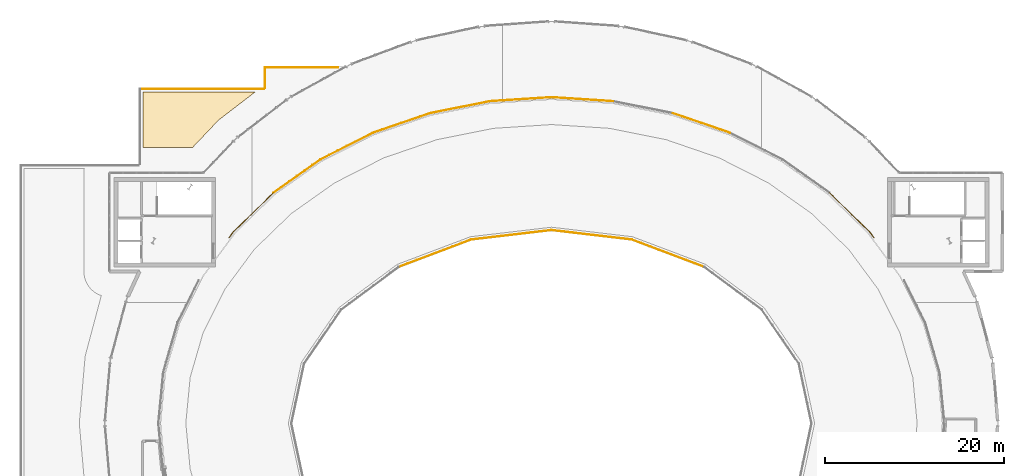
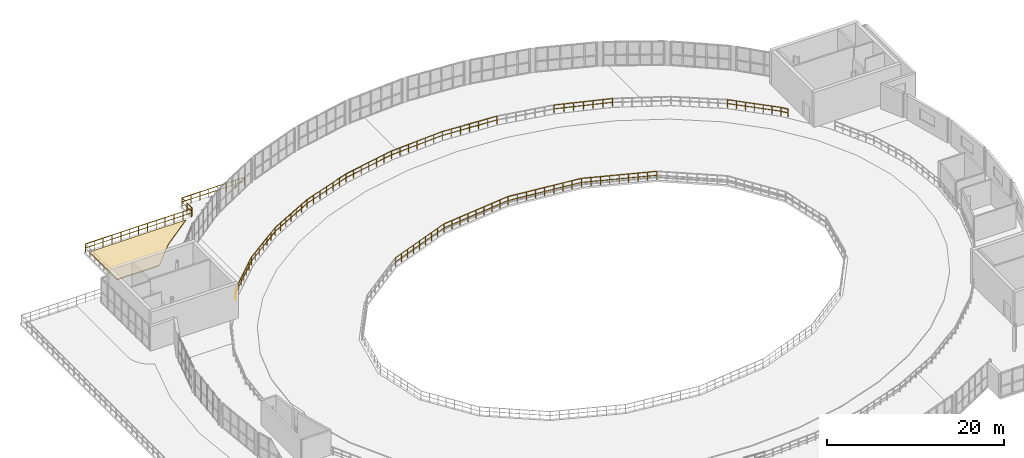
# One storey, part 39 of 40: 18 railings, 1 covering.
"""IFC4 building model written with IfcOpenShell, lengths in metres."""

import ifcopenshell
import ifcopenshell.guid

model = None  # the IFC model being written
_history = None  # IfcOwnerHistory: only IFC2X3 demands one
_inside = {}  # id of a spatial element -> (the spatial element, [elements in it])
_under = {}  # id of a project, library or spatial element -> (it, [spatial elements below it])
_declared = {}  # id of a project -> (the project, [libraries it declares])
_typed = {}  # id of a type object -> (the type object, [elements of that type])
_made_of = {}  # id of a material, layer set ... -> (it, [elements and type objects made of it])


def new_model(schema):
    """Start an empty IFC model of exactly this schema.

    Asked for "IFC4X3", IfcOpenShell would pick the latest addendum, in which some entities
    have other attributes; the version numbers below select the first issue.
    IFC2X3 requires an IfcOwnerHistory on every rooted entity: one is made here for all.
    """
    global model, _history
    if schema == "IFC4X3":
        model = ifcopenshell.file(schema_version=(4, 3, 0, 0))
    else:
        model = ifcopenshell.file(schema=schema)
    _inside.clear()
    _under.clear()
    _declared.clear()
    _typed.clear()
    _made_of.clear()
    _history = None
    if model.schema == "IFC2X3":
        org = make("IfcOrganization", Name="unknown")
        user = make(
            "IfcPersonAndOrganization",
            ThePerson=make("IfcPerson", FamilyName="unknown"),
            TheOrganization=org,
        )
        app = make(
            "IfcApplication",
            ApplicationDeveloper=org,
            Version="unknown",
            ApplicationFullName="unknown",
            ApplicationIdentifier="unknown",
        )
        _history = make(
            "IfcOwnerHistory",
            OwningUser=user,
            OwningApplication=app,
            ChangeAction="ADDED",
            CreationDate=0,
        )
    return model


def make(cls, **values):
    """One entity of the class cls with the attributes given. An attribute that is None is left unset."""
    return model.create_entity(
        cls, **{name: value for name, value in values.items() if value is not None}
    )


def rooted(cls, **values):
    """An entity with a GlobalId (a new one), such as an element, a storey or a relation."""
    return make(cls, GlobalId=ifcopenshell.guid.new(), OwnerHistory=_history, **values)


def si_unit(unit_type, name, prefix=None):
    """IfcSIUnit, for example si_unit("LENGTHUNIT", "METRE", prefix="MILLI")."""
    return make("IfcSIUnit", UnitType=unit_type, Prefix=prefix, Name=name)


def assignment(units):
    """IfcUnitAssignment: the units of a project."""
    return None if units is None else make("IfcUnitAssignment", Units=units)


def point(xyz):
    """IfcCartesianPoint."""
    return None if xyz is None else make("IfcCartesianPoint", Coordinates=xyz)


def direction(xyz):
    """IfcDirection."""
    return None if xyz is None else make("IfcDirection", DirectionRatios=xyz)


def frame(location, z_axis=None, x_axis=None):
    """IfcAxis2Placement3D, a coordinate frame: its origin and axes. An axis left out is left unset."""
    return make(
        "IfcAxis2Placement3D",
        Location=point(location),
        Axis=direction(z_axis),
        RefDirection=direction(x_axis),
    )


def frame_2d(location, x_axis=None):
    """IfcAxis2Placement2D, a coordinate frame in the plane: its origin and x axis."""
    return make(
        "IfcAxis2Placement2D", Location=point(location), RefDirection=direction(x_axis)
    )


def origin():
    """The frame at (0, 0, 0) with its axes left unset."""
    return frame((0.0, 0.0, 0.0))


def origin_2d():
    """The frame at (0, 0) in the plane with its x axis left unset."""
    return frame_2d((0.0, 0.0))


def place(relative_to, where):
    """IfcLocalPlacement: puts the frame where relative to a parent placement (None: the world)."""
    return make(
        "IfcLocalPlacement", PlacementRelTo=relative_to, RelativePlacement=where
    )


def context(
    kind, dimensions, precision=None, world=None, true_north=None, identifier=None
):
    """IfcGeometricRepresentationContext, for example the 3D "Model" context."""
    return make(
        "IfcGeometricRepresentationContext",
        ContextIdentifier=identifier,
        ContextType=kind,
        CoordinateSpaceDimension=dimensions,
        Precision=precision,
        WorldCoordinateSystem=world,
        TrueNorth=true_north,
    )


def subcontext(parent, identifier, kind, view, scale=None):
    """IfcGeometricRepresentationSubContext, for example "Body" below "Model"."""
    return make(
        "IfcGeometricRepresentationSubContext",
        ContextIdentifier=identifier,
        ContextType=kind,
        ParentContext=parent,
        TargetScale=scale,
        TargetView=view,
    )


def project(units=None, contexts=None):
    """IfcProject with its units and contexts."""
    return rooted(
        "IfcProject",
        Name="project",
        RepresentationContexts=contexts,
        UnitsInContext=assignment(units),
    )


def spatial(cls, under=None, at=None, **own):
    """A site, building, storey or space (cls), placed at a placement, below another one or the project."""
    s = rooted(cls, ObjectPlacement=at, **own)
    if under is not None:
        _under.setdefault(under.id(), (under, []))[1].append(s)
    return s


def polyline(points):
    """IfcPolyline through the points."""
    return make("IfcPolyline", Points=[point(p) for p in points])


def profile(cls, at=None, kind="AREA", **sizes):
    """A parametric profile (cls). Its sizes go by their IFC names, for example OverallWidth=200.0."""
    return make(cls, ProfileType=kind, Position=at, **sizes)


def circle(**sizes):
    """IfcCircleProfileDef."""
    return profile("IfcCircleProfileDef", **sizes)


def outline(outer, holes=None, kind="AREA"):
    """IfcArbitraryClosedProfileDef: a profile drawn as a closed curve; with holes, ...WithVoids."""
    if holes is None:
        return make("IfcArbitraryClosedProfileDef", ProfileType=kind, OuterCurve=outer)
    return make(
        "IfcArbitraryProfileDefWithVoids",
        ProfileType=kind,
        OuterCurve=outer,
        InnerCurves=holes,
    )


def extrude(swept, where, along, depth):
    """IfcExtrudedAreaSolid: the profile swept, set in the frame where, extruded along a direction by depth."""
    return make(
        "IfcExtrudedAreaSolid",
        SweptArea=swept,
        Position=where,
        ExtrudedDirection=direction(along),
        Depth=depth,
    )


def shape(context_of_items, identifier, shape_type, items):
    """IfcShapeRepresentation: the items that make up one representation, for example the "Body"."""
    return make(
        "IfcShapeRepresentation",
        ContextOfItems=context_of_items,
        RepresentationIdentifier=identifier,
        RepresentationType=shape_type,
        Items=items,
    )


def material(Name=None, Category=None):
    """IfcMaterial."""
    return make("IfcMaterial", Name=Name, Category=Category)


def layer(
    of_material, thickness, ventilated=None, Name=None, Category=None, Priority=None
):
    """IfcMaterialLayer: one layer of a wall or slab, of a material (None: an air gap)."""
    return make(
        "IfcMaterialLayer",
        Material=of_material,
        LayerThickness=thickness,
        IsVentilated=ventilated,
        Name=Name,
        Category=Category,
        Priority=Priority,
    )


def layer_set(layers, Name=None):
    """IfcMaterialLayerSet."""
    return make("IfcMaterialLayerSet", MaterialLayers=layers, LayerSetName=Name)


def made_of(thing, what):
    """Note that an element or type object is made of a material, layer set ...; save() writes the relation."""
    if what is not None:
        _made_of.setdefault(what.id(), (what, []))[1].append(thing)
    return thing


def type_object(cls, material=None, **own):
    """A type object (cls), such as IfcWallType, which elements share."""
    return made_of(rooted(cls, **own), material)


def element(
    cls,
    number,
    at=None,
    inside=None,
    cuts=None,
    type_object=None,
    material=None,
    context=None,
    identifier="Body",
    shape_type=None,
    held_by="IfcProductDefinitionShape",
    body=None,
    shapes=None,
    **own,
):
    """One element of the class cls, such as IfcWall. Its Tag is "e" and its number.

    at: its placement. inside: the storey or other place that contains it. cuts: it is an
    opening in that element (IfcRelVoidsElement). A single representation is given by context,
    identifier, shape_type and body (its items); several are given by shapes. held_by: the class
    of the entity that holds the representations. save() writes the other relations.
    """
    e = rooted(cls, Tag="e%d" % number, ObjectPlacement=at, **own)
    if body is not None:
        shapes = [shape(context, identifier, shape_type, body)]
    if shapes is not None:
        e.Representation = make(held_by, Representations=shapes)
    if inside is not None:
        _inside.setdefault(inside.id(), (inside, []))[1].append(e)
    if cuts is not None:
        rooted(
            "IfcRelVoidsElement", RelatingBuildingElement=cuts, RelatedOpeningElement=e
        )
    if type_object is not None:
        _typed.setdefault(type_object.id(), (type_object, []))[1].append(e)
    return made_of(e, material)


def aggregate(whole, parts):
    """IfcRelAggregates: a whole, such as a stair, and the parts it consists of."""
    return rooted("IfcRelAggregates", RelatingObject=whole, RelatedObjects=parts)


def save(model, path):
    """Write the relations noted so far, then the file.

    IfcRelAggregates (storeys below a building ...), IfcRelContainedInSpatialStructure (elements
    in a storey), IfcRelDefinesByType, IfcRelAssociatesMaterial and IfcRelDeclares: one each for
    every whole, place, type object, material and project.
    """
    for whole, parts in _under.values():
        aggregate(whole, parts)
    for where, things in _inside.values():
        rooted(
            "IfcRelContainedInSpatialStructure",
            RelatedElements=things,
            RelatingStructure=where,
        )
    for kind, things in _typed.values():
        rooted("IfcRelDefinesByType", RelatedObjects=things, RelatingType=kind)
    for what, things in _made_of.values():
        rooted("IfcRelAssociatesMaterial", RelatedObjects=things, RelatingMaterial=what)
    for by, libraries in _declared.values():
        rooted("IfcRelDeclares", RelatingContext=by, RelatedDefinitions=libraries)
    model.write(path)


model = new_model("IFC4")

# Units and contexts
model_context = context("Model", 3, precision=1e-05, world=origin(), true_north=direction((0.0, 1.0)))
body_context = subcontext(model_context, "Body", "Model", "MODEL_VIEW")
ifc_project = project(units=[si_unit("LENGTHUNIT", "METRE"), si_unit("AREAUNIT", "SQUARE_METRE"), si_unit("VOLUMEUNIT", "CUBIC_METRE"), si_unit("PLANEANGLEUNIT", "RADIAN"), si_unit("MASSUNIT", "GRAM", prefix="KILO")], contexts=[model_context])

# Site, building, storey
site_placement = place(None, origin())
site = spatial("IfcSite", under=ifc_project, at=site_placement, CompositionType="ELEMENT")
building_placement = place(site_placement, origin())
building = spatial("IfcBuilding", under=site, at=building_placement, Name="Glasvene Arena", CompositionType="ELEMENT")
storey_placement = place(building_placement, frame((0.0, 0.0, 24.0)))
storey = spatial("IfcBuildingStorey", under=building, at=storey_placement, Name="L05", CompositionType="ELEMENT", Elevation=24.0)

# Covering
ifc_material_1 = material(Name="Planted sedum green roof substrate")
ifc_layer = layer(ifc_material_1, 0.1201171875)
ifc_layer_set = layer_set([ifc_layer], Name="Planted sedum green roof substrate")
covering_type = type_object("IfcCoveringType", Name="COV-ROOF-SEDUM", PredefinedType="ROOFING", material=ifc_layer_set)
covering_placement = place(storey_placement, frame((53.157470703125, 106.94970703125, 0.0)))
element("IfcCovering", 1, at=covering_placement, inside=storey, type_object=covering_type, Name="Planted limestone terrace sedum bed TR-L05-STEP4-2-10", PredefinedType="ROOFING", context=body_context, shape_type="SweptSolid", body=[
    extrude(outline(polyline([(-6.907470703125, 3.150390625), (5.679931640625, 3.150390625), (1.750244140625, 0.129638671875), (1.736572265625, 0.11865234375), (1.592529296875, -0.001220703125), (1.566650390625, -0.02490234375), (1.43212890625, -0.155517578125), (1.419921875, -0.168212890625), (-1.362060546875, -3.099609375), (-6.907470703125, -3.099609375), (-6.907470703125, 3.150390625)])), origin(), (0.0, 0.0, 1.0), 0.1201171875),
])

# Railings
ifc_material_2 = material(Name="Brushed stainless steel", Category="steel")
railing_type_1 = type_object("IfcRailingType", Name="RL-GUARD-1100", PredefinedType="GUARDRAIL", material=ifc_material_2)
railing_1_placement = place(storey_placement, frame((128.10009765625, 93.77294921875, 0.0)))
element("IfcRailing", 2, at=railing_1_placement, inside=storey, type_object=railing_type_1, Name="Safety guardrail GD-GND-L05-2-001", PredefinedType="GUARDRAIL", context=body_context, shape_type="SweptSolid", body=[
    extrude(circle(Radius=0.02392578125, at=origin_2d()), frame((0.0, 0.0, 1.076171875), z_axis=(-0.594358641987, 0.804200102397, 0.0), x_axis=(-0.804200102397, -0.594358641987, 0.0)), (0.0, 0.0, 1.0), 0.846923828125),
    extrude(circle(Radius=0.01611328125, at=origin_2d()), frame((0.0, 0.0, 0.550048828125), z_axis=(-0.594358641987, 0.804200102397, 0.0), x_axis=(-0.804200102397, -0.594358641987, 0.0)), (0.0, 0.0, 1.0), 0.846923828125),
    extrude(circle(Radius=0.02099609375, at=origin_2d()), origin(), (0.0, 0.0, 1.0), 1.052001953125),
    extrude(circle(Radius=0.02099609375, at=origin_2d()), frame((-0.50341796875, 0.68115234375, 0.0)), (0.0, 0.0, 1.0), 1.052001953125),
])
railing_2_placement = place(storey_placement, frame((127.5966796875, 94.4541015625, 0.0)))
element("IfcRailing", 3, at=railing_2_placement, inside=storey, type_object=railing_type_1, Name="Safety guardrail GD-GND-L05-2-002", PredefinedType="GUARDRAIL", context=body_context, shape_type="SweptSolid", body=[
    extrude(circle(Radius=0.02392578125, at=origin_2d()), frame((0.0, 0.0, 1.076171875), z_axis=(-0.717323439685, 0.69674032672, 0.0), x_axis=(-0.69674032672, -0.717323439685, 0.0)), (0.0, 0.0, 1.0), 6.2509765625),
    extrude(circle(Radius=0.01611328125, at=origin_2d()), frame((0.0, 0.0, 0.550048828125), z_axis=(-0.717323439685, 0.69674032672, 0.0), x_axis=(-0.69674032672, -0.717323439685, 0.0)), (0.0, 0.0, 1.0), 6.2509765625),
    extrude(circle(Radius=0.02099609375, at=origin_2d()), origin(), (0.0, 0.0, 1.0), 1.052001953125),
    extrude(circle(Radius=0.02099609375, at=origin_2d()), frame((-0.747314453125, 0.725830078125, 0.0)), (0.0, 0.0, 1.0), 1.052001953125),
    extrude(circle(Radius=0.02099609375, at=origin_2d()), frame((-1.49462890625, 1.45166015625, 0.0)), (0.0, 0.0, 1.0), 1.052001953125),
    extrude(circle(Radius=0.02099609375, at=origin_2d()), frame((-2.241943359375, 2.177734375, 0.0)), (0.0, 0.0, 1.0), 1.052001953125),
    extrude(circle(Radius=0.02099609375, at=origin_2d()), frame((-2.9892578125, 2.903564453125, 0.0)), (0.0, 0.0, 1.0), 1.052001953125),
    extrude(circle(Radius=0.02099609375, at=origin_2d()), frame((-3.736572265625, 3.62939453125, 0.0)), (0.0, 0.0, 1.0), 1.052001953125),
    extrude(circle(Radius=0.02099609375, at=origin_2d()), frame((-4.48388671875, 4.355224609375, 0.0)), (0.0, 0.0, 1.0), 1.052001953125),
])
railing_3_placement = place(storey_placement, frame((111.9755859375, 105.521728515625, 0.0)))
element("IfcRailing", 4, at=railing_3_placement, inside=storey, type_object=railing_type_1, Name="Safety guardrail GD-GND-L05-2-005", PredefinedType="GUARDRAIL", context=body_context, shape_type="SweptSolid", body=[
    extrude(circle(Radius=0.02392578125, at=origin_2d()), frame((0.0, 0.0, 1.076171875), z_axis=(-0.945725538636, 0.324966468381, 0.0), x_axis=(-0.324966468381, -0.945725538636, 0.0)), (0.0, 0.0, 1.0), 6.744873046875),
    extrude(circle(Radius=0.01611328125, at=origin_2d()), frame((0.0, 0.0, 0.550048828125), z_axis=(-0.945725538636, 0.324966468381, 0.0), x_axis=(-0.324966468381, -0.945725538636, 0.0)), (0.0, 0.0, 1.0), 6.744873046875),
    extrude(circle(Radius=0.02099609375, at=origin_2d()), origin(), (0.0, 0.0, 1.0), 1.052001953125),
    extrude(circle(Radius=0.02099609375, at=origin_2d()), frame((-1.063232421875, 0.365234375, 0.0)), (0.0, 0.0, 1.0), 1.052001953125),
    extrude(circle(Radius=0.02099609375, at=origin_2d()), frame((-2.126220703125, 0.730712890625, 0.0)), (0.0, 0.0, 1.0), 1.052001953125),
    extrude(circle(Radius=0.02099609375, at=origin_2d()), frame((-3.189453125, 1.095947265625, 0.0)), (0.0, 0.0, 1.0), 1.052001953125),
    extrude(circle(Radius=0.02099609375, at=origin_2d()), frame((-4.252685546875, 1.461181640625, 0.0)), (0.0, 0.0, 1.0), 1.052001953125),
    extrude(circle(Radius=0.02099609375, at=origin_2d()), frame((-5.315673828125, 1.82666015625, 0.0)), (0.0, 0.0, 1.0), 1.052001953125),
    extrude(circle(Radius=0.02099609375, at=origin_2d()), frame((-6.37890625, 2.19189453125, 0.0)), (0.0, 0.0, 1.0), 1.052001953125),
])
railing_4_placement = place(storey_placement, frame((98.883056640625, 109.050537109375, 0.0)))
element("IfcRailing", 5, at=railing_4_placement, inside=storey, type_object=railing_type_1, Name="Safety guardrail GD-GND-L05-2-007", PredefinedType="GUARDRAIL", context=body_context, shape_type="SweptSolid", body=[
    extrude(circle(Radius=0.02392578125, at=origin_2d()), frame((0.0, 0.0, 1.076171875), z_axis=(-0.997874755959, 0.06516111892, 0.0), x_axis=(-0.06516111892, -0.997874755959, 0.0)), (0.0, 0.0, 1.0), 6.897705078125),
    extrude(circle(Radius=0.01611328125, at=origin_2d()), frame((0.0, 0.0, 0.550048828125), z_axis=(-0.997874755959, 0.06516111892, 0.0), x_axis=(-0.06516111892, -0.997874755959, 0.0)), (0.0, 0.0, 1.0), 6.897705078125),
    extrude(circle(Radius=0.02099609375, at=origin_2d()), origin(), (0.0, 0.0, 1.0), 1.052001953125),
    extrude(circle(Radius=0.02099609375, at=origin_2d()), frame((-1.147216796875, 0.074951171875, 0.0)), (0.0, 0.0, 1.0), 1.052001953125),
    extrude(circle(Radius=0.02099609375, at=origin_2d()), frame((-2.29443359375, 0.14990234375, 0.0)), (0.0, 0.0, 1.0), 1.052001953125),
    extrude(circle(Radius=0.02099609375, at=origin_2d()), frame((-3.44140625, 0.224609375, 0.0)), (0.0, 0.0, 1.0), 1.052001953125),
    extrude(circle(Radius=0.02099609375, at=origin_2d()), frame((-4.588623046875, 0.299560546875, 0.0)), (0.0, 0.0, 1.0), 1.052001953125),
    extrude(circle(Radius=0.02099609375, at=origin_2d()), frame((-5.73583984375, 0.37451171875, 0.0)), (0.0, 0.0, 1.0), 1.052001953125),
    extrude(circle(Radius=0.02099609375, at=origin_2d()), frame((-6.883056640625, 0.449462890625, 0.0)), (0.0, 0.0, 1.0), 1.052001953125),
])
railing_5_placement = place(storey_placement, frame((92.0, 109.5, 0.0)))
element("IfcRailing", 6, at=railing_5_placement, inside=storey, type_object=railing_type_1, Name="Safety guardrail GD-GND-L05-2-008", PredefinedType="GUARDRAIL", context=body_context, shape_type="SweptSolid", body=[
    extrude(circle(Radius=0.02392578125, at=origin_2d()), frame((0.0, 0.0, 1.076171875), z_axis=(-0.997874755959, -0.06516111892, 0.0), x_axis=(0.06516111892, -0.997874755959, 0.0)), (0.0, 0.0, 1.0), 6.897705078125),
    extrude(circle(Radius=0.01611328125, at=origin_2d()), frame((0.0, 0.0, 0.550048828125), z_axis=(-0.997874755959, -0.06516111892, 0.0), x_axis=(0.06516111892, -0.997874755959, 0.0)), (0.0, 0.0, 1.0), 6.897705078125),
    extrude(circle(Radius=0.02099609375, at=origin_2d()), origin(), (0.0, 0.0, 1.0), 1.052001953125),
    extrude(circle(Radius=0.02099609375, at=origin_2d()), frame((-1.147216796875, -0.074951171875, 0.0)), (0.0, 0.0, 1.0), 1.052001953125),
    extrude(circle(Radius=0.02099609375, at=origin_2d()), frame((-2.29443359375, -0.14990234375, 0.0)), (0.0, 0.0, 1.0), 1.052001953125),
    extrude(circle(Radius=0.02099609375, at=origin_2d()), frame((-3.44140625, -0.224609375, 0.0)), (0.0, 0.0, 1.0), 1.052001953125),
    extrude(circle(Radius=0.02099609375, at=origin_2d()), frame((-4.588623046875, -0.299560546875, 0.0)), (0.0, 0.0, 1.0), 1.052001953125),
    extrude(circle(Radius=0.02099609375, at=origin_2d()), frame((-5.73583984375, -0.37451171875, 0.0)), (0.0, 0.0, 1.0), 1.052001953125),
    extrude(circle(Radius=0.02099609375, at=origin_2d()), frame((-6.883056640625, -0.449462890625, 0.0)), (0.0, 0.0, 1.0), 1.052001953125),
])
railing_6_placement = place(storey_placement, frame((85.116943359375, 109.050537109375, 0.0)))
element("IfcRailing", 7, at=railing_6_placement, inside=storey, type_object=railing_type_1, Name="Safety guardrail GD-GND-L05-2-009", PredefinedType="GUARDRAIL", context=body_context, shape_type="SweptSolid", body=[
    extrude(circle(Radius=0.02392578125, at=origin_2d()), frame((0.0, 0.0, 1.076171875), z_axis=(-0.980743570612, -0.195299894275, 0.0), x_axis=(0.195299894275, -0.980743570612, 0.0)), (0.0, 0.0, 1.0), 6.845458984375),
    extrude(circle(Radius=0.01611328125, at=origin_2d()), frame((0.0, 0.0, 0.550048828125), z_axis=(-0.980743570612, -0.195299894275, 0.0), x_axis=(0.195299894275, -0.980743570612, 0.0)), (0.0, 0.0, 1.0), 6.845458984375),
    extrude(circle(Radius=0.02099609375, at=origin_2d()), origin(), (0.0, 0.0, 1.0), 1.052001953125),
    extrude(circle(Radius=0.02099609375, at=origin_2d()), frame((-1.118896484375, -0.222900390625, 0.0)), (0.0, 0.0, 1.0), 1.052001953125),
    extrude(circle(Radius=0.02099609375, at=origin_2d()), frame((-2.23779296875, -0.445556640625, 0.0)), (0.0, 0.0, 1.0), 1.052001953125),
    extrude(circle(Radius=0.02099609375, at=origin_2d()), frame((-3.35693359375, -0.66845703125, 0.0)), (0.0, 0.0, 1.0), 1.052001953125),
    extrude(circle(Radius=0.02099609375, at=origin_2d()), frame((-4.475830078125, -0.891357421875, 0.0)), (0.0, 0.0, 1.0), 1.052001953125),
    extrude(circle(Radius=0.02099609375, at=origin_2d()), frame((-5.5947265625, -1.114013671875, 0.0)), (0.0, 0.0, 1.0), 1.052001953125),
    extrude(circle(Radius=0.02099609375, at=origin_2d()), frame((-6.713623046875, -1.3369140625, 0.0)), (0.0, 0.0, 1.0), 1.052001953125),
])
railing_7_placement = place(storey_placement, frame((78.4033203125, 107.713623046875, 0.0)))
element("IfcRailing", 8, at=railing_7_placement, inside=storey, type_object=railing_type_1, Name="Safety guardrail GD-GND-L05-2-010", PredefinedType="GUARDRAIL", context=body_context, shape_type="SweptSolid", body=[
    extrude(circle(Radius=0.02392578125, at=origin_2d()), frame((0.0, 0.0, 1.076171875), z_axis=(-0.945725538636, -0.324966468381, 0.0), x_axis=(0.324966468381, -0.945725538636, 0.0)), (0.0, 0.0, 1.0), 6.744873046875),
    extrude(circle(Radius=0.01611328125, at=origin_2d()), frame((0.0, 0.0, 0.550048828125), z_axis=(-0.945725538636, -0.324966468381, 0.0), x_axis=(0.324966468381, -0.945725538636, 0.0)), (0.0, 0.0, 1.0), 6.744873046875),
    extrude(circle(Radius=0.02099609375, at=origin_2d()), origin(), (0.0, 0.0, 1.0), 1.052001953125),
    extrude(circle(Radius=0.02099609375, at=origin_2d()), frame((-1.063232421875, -0.365234375, 0.0)), (0.0, 0.0, 1.0), 1.052001953125),
    extrude(circle(Radius=0.02099609375, at=origin_2d()), frame((-2.126220703125, -0.730712890625, 0.0)), (0.0, 0.0, 1.0), 1.052001953125),
    extrude(circle(Radius=0.02099609375, at=origin_2d()), frame((-3.189453125, -1.095947265625, 0.0)), (0.0, 0.0, 1.0), 1.052001953125),
    extrude(circle(Radius=0.02099609375, at=origin_2d()), frame((-4.252685546875, -1.461181640625, 0.0)), (0.0, 0.0, 1.0), 1.052001953125),
    extrude(circle(Radius=0.02099609375, at=origin_2d()), frame((-5.315673828125, -1.82666015625, 0.0)), (0.0, 0.0, 1.0), 1.052001953125),
    extrude(circle(Radius=0.02099609375, at=origin_2d()), frame((-6.37890625, -2.19189453125, 0.0)), (0.0, 0.0, 1.0), 1.052001953125),
])
railing_8_placement = place(storey_placement, frame((72.0244140625, 105.521728515625, 0.0)))
element("IfcRailing", 9, at=railing_8_placement, inside=storey, type_object=railing_type_1, Name="Safety guardrail GD-GND-L05-2-011", PredefinedType="GUARDRAIL", context=body_context, shape_type="SweptSolid", body=[
    extrude(circle(Radius=0.02392578125, at=origin_2d()), frame((0.0, 0.0, 1.076171875), z_axis=(-0.891427655965, -0.453163032672, 0.0), x_axis=(0.453163032672, -0.891427655965, 0.0)), (0.0, 0.0, 1.0), 6.60400390625),
    extrude(circle(Radius=0.01611328125, at=origin_2d()), frame((0.0, 0.0, 0.550048828125), z_axis=(-0.891427655965, -0.453163032672, 0.0), x_axis=(0.453163032672, -0.891427655965, 0.0)), (0.0, 0.0, 1.0), 6.60400390625),
    extrude(circle(Radius=0.02099609375, at=origin_2d()), origin(), (0.0, 0.0, 1.0), 1.052001953125),
    extrude(circle(Radius=0.02099609375, at=origin_2d()), frame((-0.981201171875, -0.498779296875, 0.0)), (0.0, 0.0, 1.0), 1.052001953125),
    extrude(circle(Radius=0.02099609375, at=origin_2d()), frame((-1.96240234375, -0.99755859375, 0.0)), (0.0, 0.0, 1.0), 1.052001953125),
    extrude(circle(Radius=0.02099609375, at=origin_2d()), frame((-2.943359375, -1.496337890625, 0.0)), (0.0, 0.0, 1.0), 1.052001953125),
    extrude(circle(Radius=0.02099609375, at=origin_2d()), frame((-3.924560546875, -1.9951171875, 0.0)), (0.0, 0.0, 1.0), 1.052001953125),
    extrude(circle(Radius=0.02099609375, at=origin_2d()), frame((-4.90576171875, -2.493896484375, 0.0)), (0.0, 0.0, 1.0), 1.052001953125),
    extrude(circle(Radius=0.02099609375, at=origin_2d()), frame((-5.886962890625, -2.99267578125, 0.0)), (0.0, 0.0, 1.0), 1.052001953125),
])
railing_9_placement = place(storey_placement, frame((66.137451171875, 102.529052734375, 0.0)))
element("IfcRailing", 10, at=railing_9_placement, inside=storey, type_object=railing_type_1, Name="Safety guardrail GD-GND-L05-2-012", PredefinedType="GUARDRAIL", context=body_context, shape_type="SweptSolid", body=[
    extrude(circle(Radius=0.02392578125, at=origin_2d()), frame((0.0, 0.0, 1.076171875), z_axis=(-0.81596556642, -0.578100505463, 0.0), x_axis=(0.578100505463, -0.81596556642, 0.0)), (0.0, 0.0, 1.0), 6.434326171875),
    extrude(circle(Radius=0.01611328125, at=origin_2d()), frame((0.0, 0.0, 0.550048828125), z_axis=(-0.81596556642, -0.578100505463, 0.0), x_axis=(0.578100505463, -0.81596556642, 0.0)), (0.0, 0.0, 1.0), 6.434326171875),
    extrude(circle(Radius=0.02099609375, at=origin_2d()), origin(), (0.0, 0.0, 1.0), 1.052001953125),
    extrude(circle(Radius=0.02099609375, at=origin_2d()), frame((-0.875, -0.619873046875, 0.0)), (0.0, 0.0, 1.0), 1.052001953125),
    extrude(circle(Radius=0.02099609375, at=origin_2d()), frame((-1.75, -1.239990234375, 0.0)), (0.0, 0.0, 1.0), 1.052001953125),
    extrude(circle(Radius=0.02099609375, at=origin_2d()), frame((-2.625, -1.85986328125, 0.0)), (0.0, 0.0, 1.0), 1.052001953125),
    extrude(circle(Radius=0.02099609375, at=origin_2d()), frame((-3.500244140625, -2.479736328125, 0.0)), (0.0, 0.0, 1.0), 1.052001953125),
    extrude(circle(Radius=0.02099609375, at=origin_2d()), frame((-4.375244140625, -3.099853515625, 0.0)), (0.0, 0.0, 1.0), 1.052001953125),
    extrude(circle(Radius=0.02099609375, at=origin_2d()), frame((-5.250244140625, -3.7197265625, 0.0)), (0.0, 0.0, 1.0), 1.052001953125),
])
railing_10_placement = place(storey_placement, frame((60.88720703125, 98.809326171875, 0.0)))
element("IfcRailing", 11, at=railing_10_placement, inside=storey, type_object=railing_type_1, Name="Safety guardrail GD-GND-L05-2-013", PredefinedType="GUARDRAIL", context=body_context, shape_type="SweptSolid", body=[
    extrude(circle(Radius=0.02392578125, at=origin_2d()), frame((0.0, 0.0, 1.076171875), z_axis=(-0.717323439685, -0.69674032672, 0.0), x_axis=(0.69674032672, -0.717323439685, 0.0)), (0.0, 0.0, 1.0), 6.2509765625),
    extrude(circle(Radius=0.01611328125, at=origin_2d()), frame((0.0, 0.0, 0.550048828125), z_axis=(-0.717323439685, -0.69674032672, 0.0), x_axis=(0.69674032672, -0.717323439685, 0.0)), (0.0, 0.0, 1.0), 6.2509765625),
    extrude(circle(Radius=0.02099609375, at=origin_2d()), origin(), (0.0, 0.0, 1.0), 1.052001953125),
    extrude(circle(Radius=0.02099609375, at=origin_2d()), frame((-0.747314453125, -0.725830078125, 0.0)), (0.0, 0.0, 1.0), 1.052001953125),
    extrude(circle(Radius=0.02099609375, at=origin_2d()), frame((-1.49462890625, -1.45166015625, 0.0)), (0.0, 0.0, 1.0), 1.052001953125),
    extrude(circle(Radius=0.02099609375, at=origin_2d()), frame((-2.241943359375, -2.177734375, 0.0)), (0.0, 0.0, 1.0), 1.052001953125),
    extrude(circle(Radius=0.02099609375, at=origin_2d()), frame((-2.9892578125, -2.903564453125, 0.0)), (0.0, 0.0, 1.0), 1.052001953125),
    extrude(circle(Radius=0.02099609375, at=origin_2d()), frame((-3.736572265625, -3.62939453125, 0.0)), (0.0, 0.0, 1.0), 1.052001953125),
    extrude(circle(Radius=0.02099609375, at=origin_2d()), frame((-4.48388671875, -4.355224609375, 0.0)), (0.0, 0.0, 1.0), 1.052001953125),
])
railing_11_placement = place(storey_placement, frame((56.4033203125, 94.4541015625, 0.0)))
element("IfcRailing", 12, at=railing_11_placement, inside=storey, type_object=railing_type_1, Name="Safety guardrail GD-GND-L05-2-014", PredefinedType="GUARDRAIL", context=body_context, shape_type="SweptSolid", body=[
    extrude(circle(Radius=0.02392578125, at=origin_2d()), frame((0.0, 0.0, 1.076171875), z_axis=(-0.594358641987, -0.804200102397, 0.0), x_axis=(0.804200102397, -0.594358641987, 0.0)), (0.0, 0.0, 1.0), 0.846923828125),
    extrude(circle(Radius=0.01611328125, at=origin_2d()), frame((0.0, 0.0, 0.550048828125), z_axis=(-0.594358641987, -0.804200102397, 0.0), x_axis=(0.804200102397, -0.594358641987, 0.0)), (0.0, 0.0, 1.0), 0.846923828125),
    extrude(circle(Radius=0.02099609375, at=origin_2d()), origin(), (0.0, 0.0, 1.0), 1.052001953125),
    extrude(circle(Radius=0.02099609375, at=origin_2d()), frame((-0.50341796875, -0.68115234375, 0.0)), (0.0, 0.0, 1.0), 1.052001953125),
])
ifc_material_3 = material(Name="Warm bronze architectural aluminium", Category="aluminium")
railing_type_2 = type_object("IfcRailingType", Name="RL-GUARD-EXT-1150", PredefinedType="GUARDRAIL", material=ifc_material_3)
railing_12_placement = place(storey_placement, frame((109.088134765625, 90.506103515625, 0.0)))
element("IfcRailing", 13, at=railing_12_placement, inside=storey, type_object=railing_type_2, Name="Safety guardrail GD-TER-L05-TR-L05-STEP4-1-01-002", PredefinedType="GUARDRAIL", context=body_context, shape_type="SweptSolid", body=[
    extrude(circle(Radius=0.02392578125, at=origin_2d()), frame((0.0, 0.0, 1.1259765625), z_axis=(-0.9354754144, 0.353391778417, 0.0), x_axis=(-0.353391778417, -0.9354754144, 0.0)), (0.0, 0.0, 1.0), 8.641845703125),
    extrude(circle(Radius=0.01611328125, at=origin_2d()), frame((0.0, 0.0, 0.574951171875), z_axis=(-0.9354754144, 0.353391778417, 0.0), x_axis=(-0.353391778417, -0.9354754144, 0.0)), (0.0, 0.0, 1.0), 8.641845703125),
    extrude(circle(Radius=0.02099609375, at=origin_2d()), origin(), (0.0, 0.0, 1.0), 1.101806640625),
    extrude(circle(Radius=0.02099609375, at=origin_2d()), frame((-1.010498046875, 0.3818359375, 0.0)), (0.0, 0.0, 1.0), 1.101806640625),
    extrude(circle(Radius=0.02099609375, at=origin_2d()), frame((-2.02099609375, 0.763427734375, 0.0)), (0.0, 0.0, 1.0), 1.101806640625),
    extrude(circle(Radius=0.02099609375, at=origin_2d()), frame((-3.031494140625, 1.145263671875, 0.0)), (0.0, 0.0, 1.0), 1.101806640625),
    extrude(circle(Radius=0.02099609375, at=origin_2d()), frame((-4.0419921875, 1.52685546875, 0.0)), (0.0, 0.0, 1.0), 1.101806640625),
    extrude(circle(Radius=0.02099609375, at=origin_2d()), frame((-5.052734375, 1.90869140625, 0.0)), (0.0, 0.0, 1.0), 1.101806640625),
    extrude(circle(Radius=0.02099609375, at=origin_2d()), frame((-6.063232421875, 2.29052734375, 0.0)), (0.0, 0.0, 1.0), 1.101806640625),
    extrude(circle(Radius=0.02099609375, at=origin_2d()), frame((-7.07373046875, 2.672119140625, 0.0)), (0.0, 0.0, 1.0), 1.101806640625),
    extrude(circle(Radius=0.02099609375, at=origin_2d()), frame((-8.084228515625, 3.053955078125, 0.0)), (0.0, 0.0, 1.0), 1.101806640625),
])
railing_13_placement = place(storey_placement, frame((100.9755859375, 93.56689453125, 0.0)))
element("IfcRailing", 14, at=railing_13_placement, inside=storey, type_object=railing_type_2, Name="Safety guardrail GD-TER-L05-TR-L05-STEP4-1-01-003", PredefinedType="GUARDRAIL", context=body_context, shape_type="SweptSolid", body=[
    extrude(circle(Radius=0.02392578125, at=origin_2d()), frame((0.0, 0.0, 1.1259765625), z_axis=(-0.993177173761, 0.11661518563, 0.0), x_axis=(-0.11661518563, -0.993177173761, 0.0)), (0.0, 0.0, 1.0), 9.023193359375),
    extrude(circle(Radius=0.01611328125, at=origin_2d()), frame((0.0, 0.0, 0.574951171875), z_axis=(-0.993177173761, 0.11661518563, 0.0), x_axis=(-0.11661518563, -0.993177173761, 0.0)), (0.0, 0.0, 1.0), 9.023193359375),
    extrude(circle(Radius=0.02099609375, at=origin_2d()), origin(), (0.0, 0.0, 1.0), 1.101806640625),
    extrude(circle(Radius=0.02099609375, at=origin_2d()), frame((-1.1201171875, 0.131591796875, 0.0)), (0.0, 0.0, 1.0), 1.101806640625),
    extrude(circle(Radius=0.02099609375, at=origin_2d()), frame((-2.240478515625, 0.26318359375, 0.0)), (0.0, 0.0, 1.0), 1.101806640625),
    extrude(circle(Radius=0.02099609375, at=origin_2d()), frame((-3.360595703125, 0.39453125, 0.0)), (0.0, 0.0, 1.0), 1.101806640625),
    extrude(circle(Radius=0.02099609375, at=origin_2d()), frame((-4.48095703125, 0.526123046875, 0.0)), (0.0, 0.0, 1.0), 1.101806640625),
    extrude(circle(Radius=0.02099609375, at=origin_2d()), frame((-5.60107421875, 0.65771484375, 0.0)), (0.0, 0.0, 1.0), 1.101806640625),
    extrude(circle(Radius=0.02099609375, at=origin_2d()), frame((-6.72119140625, 0.7890625, 0.0)), (0.0, 0.0, 1.0), 1.101806640625),
    extrude(circle(Radius=0.02099609375, at=origin_2d()), frame((-7.841552734375, 0.920654296875, 0.0)), (0.0, 0.0, 1.0), 1.101806640625),
    extrude(circle(Radius=0.02099609375, at=origin_2d()), frame((-8.961669921875, 1.05224609375, 0.0)), (0.0, 0.0, 1.0), 1.101806640625),
])
railing_14_placement = place(storey_placement, frame((91.986083984375, 94.619140625, 0.0)))
element("IfcRailing", 15, at=railing_14_placement, inside=storey, type_object=railing_type_2, Name="Safety guardrail GD-TER-L05-TR-L05-STEP4-1-01-004", PredefinedType="GUARDRAIL", context=body_context, shape_type="SweptSolid", body=[
    extrude(circle(Radius=0.02392578125, at=origin_2d()), frame((0.0, 0.0, 1.1259765625), z_axis=(-0.993177173761, -0.11661518563, 0.0), x_axis=(0.11661518563, -0.993177173761, 0.0)), (0.0, 0.0, 1.0), 9.023193359375),
    extrude(circle(Radius=0.01611328125, at=origin_2d()), frame((0.0, 0.0, 0.574951171875), z_axis=(-0.993177173761, -0.11661518563, 0.0), x_axis=(0.11661518563, -0.993177173761, 0.0)), (0.0, 0.0, 1.0), 9.023193359375),
    extrude(circle(Radius=0.02099609375, at=origin_2d()), origin(), (0.0, 0.0, 1.0), 1.101806640625),
    extrude(circle(Radius=0.02099609375, at=origin_2d()), frame((-1.1201171875, -0.131591796875, 0.0)), (0.0, 0.0, 1.0), 1.101806640625),
    extrude(circle(Radius=0.02099609375, at=origin_2d()), frame((-2.240478515625, -0.26318359375, 0.0)), (0.0, 0.0, 1.0), 1.101806640625),
    extrude(circle(Radius=0.02099609375, at=origin_2d()), frame((-3.360595703125, -0.39453125, 0.0)), (0.0, 0.0, 1.0), 1.101806640625),
    extrude(circle(Radius=0.02099609375, at=origin_2d()), frame((-4.48095703125, -0.526123046875, 0.0)), (0.0, 0.0, 1.0), 1.101806640625),
    extrude(circle(Radius=0.02099609375, at=origin_2d()), frame((-5.60107421875, -0.65771484375, 0.0)), (0.0, 0.0, 1.0), 1.101806640625),
    extrude(circle(Radius=0.02099609375, at=origin_2d()), frame((-6.72119140625, -0.7890625, 0.0)), (0.0, 0.0, 1.0), 1.101806640625),
    extrude(circle(Radius=0.02099609375, at=origin_2d()), frame((-7.841552734375, -0.920654296875, 0.0)), (0.0, 0.0, 1.0), 1.101806640625),
    extrude(circle(Radius=0.02099609375, at=origin_2d()), frame((-8.961669921875, -1.05224609375, 0.0)), (0.0, 0.0, 1.0), 1.101806640625),
])
railing_15_placement = place(storey_placement, frame((82.99609375, 93.56005859375, 0.0)))
element("IfcRailing", 16, at=railing_15_placement, inside=storey, type_object=railing_type_2, Name="Safety guardrail GD-TER-L05-TR-L05-STEP4-1-01-005", PredefinedType="GUARDRAIL", context=body_context, shape_type="SweptSolid", body=[
    extrude(circle(Radius=0.02392578125, at=origin_2d()), frame((0.0, 0.0, 1.1259765625), z_axis=(-0.9354754144, -0.353391778417, 0.0), x_axis=(0.353391778417, -0.9354754144, 0.0)), (0.0, 0.0, 1.0), 8.641845703125),
    extrude(circle(Radius=0.01611328125, at=origin_2d()), frame((0.0, 0.0, 0.574951171875), z_axis=(-0.9354754144, -0.353391778417, 0.0), x_axis=(0.353391778417, -0.9354754144, 0.0)), (0.0, 0.0, 1.0), 8.641845703125),
    extrude(circle(Radius=0.02099609375, at=origin_2d()), origin(), (0.0, 0.0, 1.0), 1.101806640625),
    extrude(circle(Radius=0.02099609375, at=origin_2d()), frame((-1.010498046875, -0.3818359375, 0.0)), (0.0, 0.0, 1.0), 1.101806640625),
    extrude(circle(Radius=0.02099609375, at=origin_2d()), frame((-2.02099609375, -0.763427734375, 0.0)), (0.0, 0.0, 1.0), 1.101806640625),
    extrude(circle(Radius=0.02099609375, at=origin_2d()), frame((-3.031494140625, -1.145263671875, 0.0)), (0.0, 0.0, 1.0), 1.101806640625),
    extrude(circle(Radius=0.02099609375, at=origin_2d()), frame((-4.0419921875, -1.52685546875, 0.0)), (0.0, 0.0, 1.0), 1.101806640625),
    extrude(circle(Radius=0.02099609375, at=origin_2d()), frame((-5.052734375, -1.90869140625, 0.0)), (0.0, 0.0, 1.0), 1.101806640625),
    extrude(circle(Radius=0.02099609375, at=origin_2d()), frame((-6.063232421875, -2.29052734375, 0.0)), (0.0, 0.0, 1.0), 1.101806640625),
    extrude(circle(Radius=0.02099609375, at=origin_2d()), frame((-7.07373046875, -2.672119140625, 0.0)), (0.0, 0.0, 1.0), 1.101806640625),
    extrude(circle(Radius=0.02099609375, at=origin_2d()), frame((-8.084228515625, -3.053955078125, 0.0)), (0.0, 0.0, 1.0), 1.101806640625),
])
railing_16_placement = place(storey_placement, frame((45.919921875, 110.429931640625, 0.0)))
element("IfcRailing", 17, at=railing_16_placement, inside=storey, type_object=railing_type_2, Name="Safety guardrail GD-TER-L05-TR-L05-STEP4-2-01-007", PredefinedType="GUARDRAIL", context=body_context, shape_type="SweptSolid", body=[
    extrude(circle(Radius=0.02392578125, at=origin_2d()), frame((0.0, 0.0, 1.1259765625), z_axis=(1.0, 0.0, 0.0), x_axis=(0.0, 1.0, 0.0)), (0.0, 0.0, 1.0), 13.880126953125),
    extrude(circle(Radius=0.01611328125, at=origin_2d()), frame((0.0, 0.0, 0.574951171875), z_axis=(1.0, 0.0, 0.0), x_axis=(0.0, 1.0, 0.0)), (0.0, 0.0, 1.0), 13.880126953125),
    extrude(circle(Radius=0.02099609375, at=origin_2d()), origin(), (0.0, 0.0, 1.0), 1.101806640625),
    extrude(circle(Radius=0.02099609375, at=origin_2d()), frame((1.15673828125, 0.0, 0.0)), (0.0, 0.0, 1.0), 1.101806640625),
    extrude(circle(Radius=0.02099609375, at=origin_2d()), frame((2.3134765625, 0.0, 0.0)), (0.0, 0.0, 1.0), 1.101806640625),
    extrude(circle(Radius=0.02099609375, at=origin_2d()), frame((3.469970703125, 0.0, 0.0)), (0.0, 0.0, 1.0), 1.101806640625),
    extrude(circle(Radius=0.02099609375, at=origin_2d()), frame((4.626708984375, 0.0, 0.0)), (0.0, 0.0, 1.0), 1.101806640625),
    extrude(circle(Radius=0.02099609375, at=origin_2d()), frame((5.783447265625, 0.0, 0.0)), (0.0, 0.0, 1.0), 1.101806640625),
    extrude(circle(Radius=0.02099609375, at=origin_2d()), frame((6.93994140625, 0.0, 0.0)), (0.0, 0.0, 1.0), 1.101806640625),
    extrude(circle(Radius=0.02099609375, at=origin_2d()), frame((8.0966796875, 0.0, 0.0)), (0.0, 0.0, 1.0), 1.101806640625),
    extrude(circle(Radius=0.02099609375, at=origin_2d()), frame((9.25341796875, 0.0, 0.0)), (0.0, 0.0, 1.0), 1.101806640625),
    extrude(circle(Radius=0.02099609375, at=origin_2d()), frame((10.41015625, 0.0, 0.0)), (0.0, 0.0, 1.0), 1.101806640625),
    extrude(circle(Radius=0.02099609375, at=origin_2d()), frame((11.56689453125, 0.0, 0.0)), (0.0, 0.0, 1.0), 1.101806640625),
    extrude(circle(Radius=0.02099609375, at=origin_2d()), frame((12.723388671875, 0.0, 0.0)), (0.0, 0.0, 1.0), 1.101806640625),
    extrude(circle(Radius=0.02099609375, at=origin_2d()), frame((13.880126953125, 0.0, 0.0)), (0.0, 0.0, 1.0), 1.101806640625),
])
railing_17_placement = place(storey_placement, frame((59.919921875, 110.550048828125, 0.0)))
element("IfcRailing", 18, at=railing_17_placement, inside=storey, type_object=railing_type_2, Name="Safety guardrail GD-TER-L05-TR-L05-STEP4-2-01-008", PredefinedType="GUARDRAIL", context=body_context, shape_type="SweptSolid", body=[
    extrude(circle(Radius=0.02392578125, at=origin_2d()), frame((0.0, 0.0, 1.1259765625), z_axis=(0.0, 1.0, 0.0), x_axis=(-1.0, 0.0, 0.0)), (0.0, 0.0, 1.0), 2.280029296875),
    extrude(circle(Radius=0.01611328125, at=origin_2d()), frame((0.0, 0.0, 0.574951171875), z_axis=(0.0, 1.0, 0.0), x_axis=(-1.0, 0.0, 0.0)), (0.0, 0.0, 1.0), 2.280029296875),
    extrude(circle(Radius=0.02099609375, at=origin_2d()), origin(), (0.0, 0.0, 1.0), 1.101806640625),
    extrude(circle(Radius=0.02099609375, at=origin_2d()), frame((0.0, 1.14013671875, 0.0)), (0.0, 0.0, 1.0), 1.101806640625),
    extrude(circle(Radius=0.02099609375, at=origin_2d()), frame((0.0, 2.280029296875, 0.0)), (0.0, 0.0, 1.0), 1.101806640625),
])
railing_18_placement = place(storey_placement, frame((59.919921875, 112.830078125, 0.0)))
element("IfcRailing", 19, at=railing_18_placement, inside=storey, type_object=railing_type_2, Name="Safety guardrail GD-TER-L05-TR-L05-STEP4-2-01-009", PredefinedType="GUARDRAIL", context=body_context, shape_type="SweptSolid", body=[
    extrude(circle(Radius=0.02392578125, at=origin_2d()), frame((0.0, 0.0, 1.1259765625), z_axis=(1.0, 0.0, 0.0), x_axis=(0.0, 1.0, 0.0)), (0.0, 0.0, 1.0), 8.1748046875),
    extrude(circle(Radius=0.01611328125, at=origin_2d()), frame((0.0, 0.0, 0.574951171875), z_axis=(1.0, 0.0, 0.0), x_axis=(0.0, 1.0, 0.0)), (0.0, 0.0, 1.0), 8.1748046875),
    extrude(circle(Radius=0.02099609375, at=origin_2d()), origin(), (0.0, 0.0, 1.0), 1.101806640625),
    extrude(circle(Radius=0.02099609375, at=origin_2d()), frame((1.167724609375, 0.0, 0.0)), (0.0, 0.0, 1.0), 1.101806640625),
    extrude(circle(Radius=0.02099609375, at=origin_2d()), frame((2.335693359375, 0.0, 0.0)), (0.0, 0.0, 1.0), 1.101806640625),
    extrude(circle(Radius=0.02099609375, at=origin_2d()), frame((3.50341796875, 0.0, 0.0)), (0.0, 0.0, 1.0), 1.101806640625),
    extrude(circle(Radius=0.02099609375, at=origin_2d()), frame((4.67138671875, 0.0, 0.0)), (0.0, 0.0, 1.0), 1.101806640625),
    extrude(circle(Radius=0.02099609375, at=origin_2d()), frame((5.839111328125, 0.0, 0.0)), (0.0, 0.0, 1.0), 1.101806640625),
    extrude(circle(Radius=0.02099609375, at=origin_2d()), frame((7.007080078125, 0.0, 0.0)), (0.0, 0.0, 1.0), 1.101806640625),
    extrude(circle(Radius=0.02099609375, at=origin_2d()), frame((8.1748046875, 0.0, 0.0)), (0.0, 0.0, 1.0), 1.101806640625),
])

save(model, "model.ifc")
